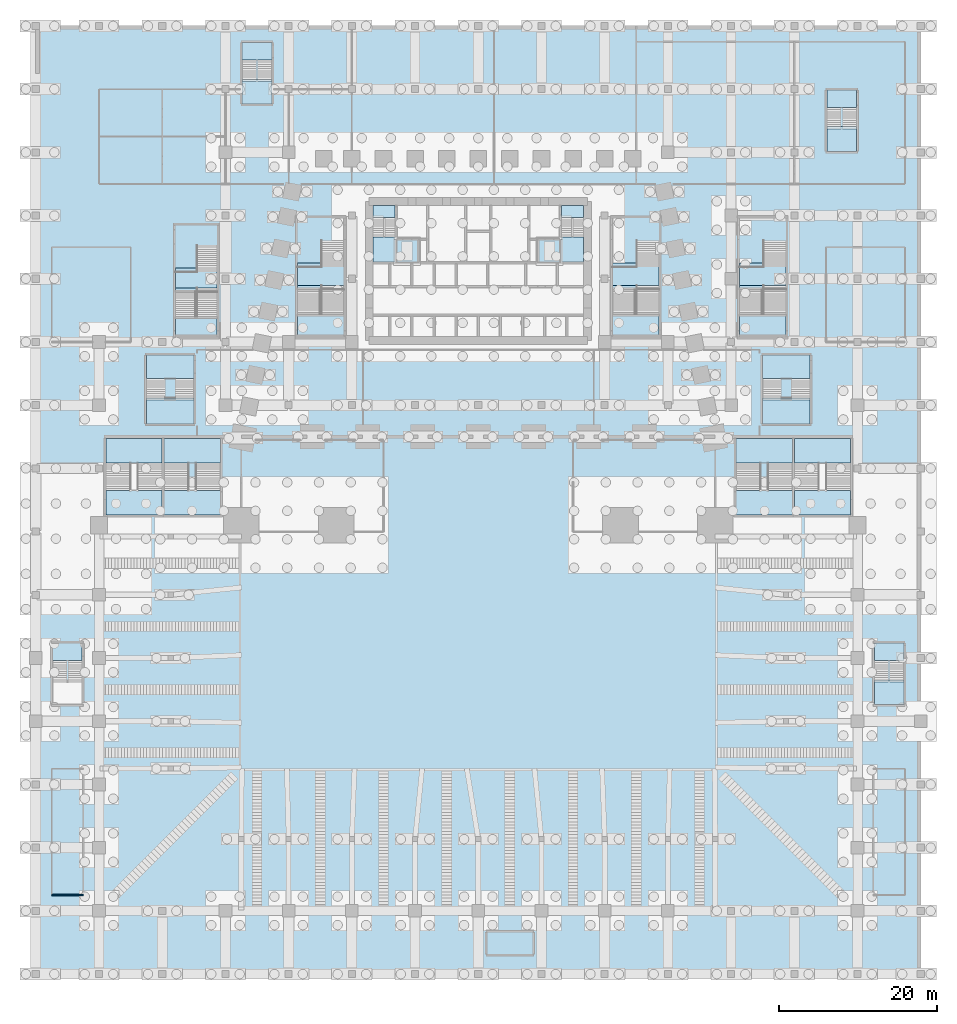
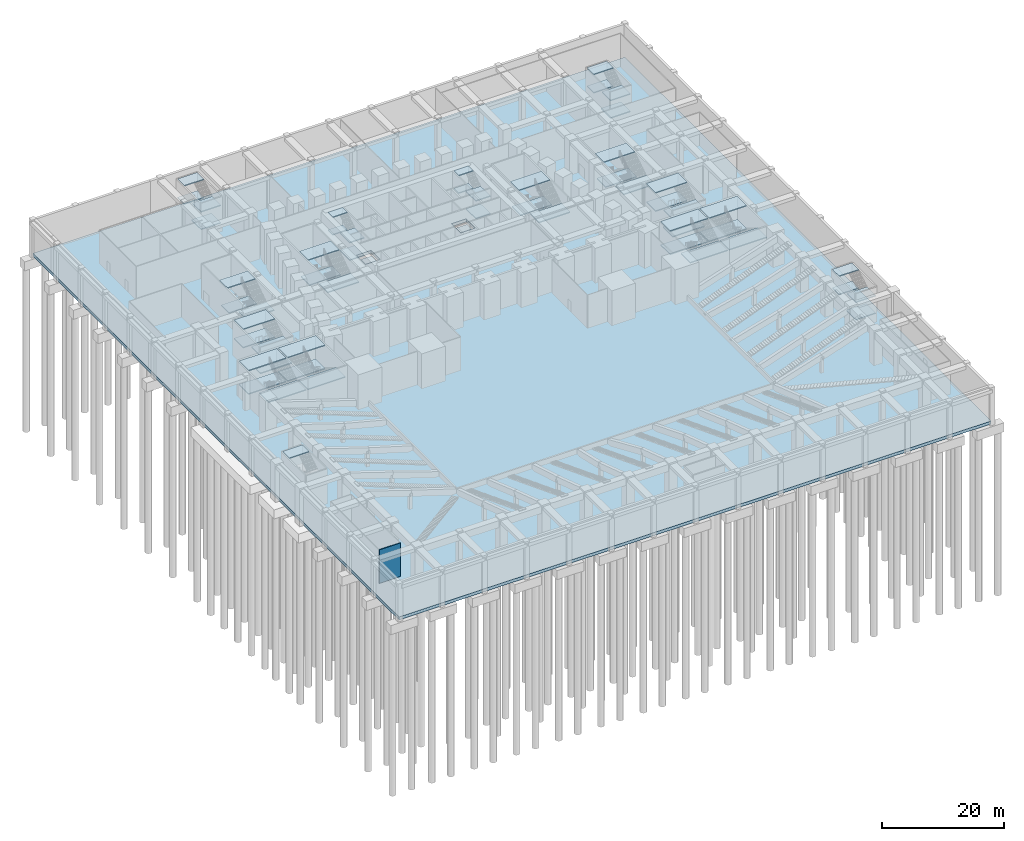
# One storey, part 6 of 30: 56 slabs, 1 wall, 16 elements without a shape of their own.
"""IFC4 building model written with IfcOpenShell, lengths in metres."""

from ifc_helpers import new_model, si_unit, direction, frame, frame_2d, origin, place, context, subcontext, project, spatial, polyline, rectangle, outline, extrude, material, layer, layer_set, type_object, element, aggregate, save


model = new_model("IFC4")

# Units and contexts
model_context = context("Model", 3, precision=1e-05, world=origin(), true_north=direction((0.0, 1.0)))
body_context = subcontext(model_context, "Body", "Model", "MODEL_VIEW")
ifc_project = project(units=[si_unit("LENGTHUNIT", "METRE"), si_unit("AREAUNIT", "SQUARE_METRE"), si_unit("VOLUMEUNIT", "CUBIC_METRE"), si_unit("PLANEANGLEUNIT", "RADIAN"), si_unit("MASSUNIT", "GRAM", prefix="KILO")], contexts=[model_context])

# Site, building, storey
site_placement = place(None, origin())
site = spatial("IfcSite", under=ifc_project, at=site_placement, CompositionType="ELEMENT")
building_placement = place(site_placement, origin())
building = spatial("IfcBuilding", under=site, at=building_placement, Name="Isbrekke Arena Tower", CompositionType="ELEMENT")
storey_placement = place(building_placement, frame((0.0, 0.0, -7.0)))
storey = spatial("IfcBuildingStorey", under=building, at=storey_placement, Name="B1", CompositionType="ELEMENT", Elevation=-7.0)

# Slabs
ifc_material_1 = material(Name="Concrete B45 (C45/55)", Category="concrete")
ifc_layer_1 = layer(ifc_material_1, 0.60009765625)
ifc_layer_set_1 = layer_set([ifc_layer_1], Name="BS1 BASE SLAB 600")
slab_type_1 = type_object("IfcSlabType", Name="BS1 BASE SLAB 600", PredefinedType="BASESLAB", material=ifc_layer_set_1)
slab_1_placement = place(storey_placement, frame((0.0, 0.0, -0.60009765625)))
element("IfcSlab", 1, at=slab_1_placement, inside=storey, type_object=slab_type_1, Name="BS1 slab B1 part 1", PredefinedType="BASESLAB", context=body_context, shape_type="SweptSolid", body=[
    extrude(outline(polyline([(-56.0, -74.0), (56.0, -74.0), (56.0, 46.0), (-56.0, 46.0), (-56.0, -74.0)]), holes=[polyline([(7.60009765625, 16.0), (10.39990234375, 16.0), (10.39990234375, 19.0), (7.60009765625, 19.0), (7.60009765625, 16.0)]), polyline([(-10.39990234375, 16.0), (-7.60009765625, 16.0), (-7.60009765625, 19.0), (-10.39990234375, 19.0), (-10.39990234375, 16.0)])]), origin(), (0.0, 0.0, 1.0), 0.60009765625),
])
ifc_material_2 = material(Name="Concrete B45 (C45/55)", Category="concrete")
ifc_layer_2 = layer(ifc_material_2, 0.39990234375)
ifc_layer_set_2 = layer_set([ifc_layer_2], Name="BS2 LIFT PIT SLAB 400")
slab_type_2 = type_object("IfcSlabType", Name="BS2 LIFT PIT SLAB 400", PredefinedType="BASESLAB", material=ifc_layer_set_2)
slab_2_placement = place(storey_placement, frame((0.0, 0.0, -1.800048828125)))
element("IfcSlab", 2, at=slab_2_placement, inside=storey, type_object=slab_type_2, Name="BS2 lift pit slab F1", PredefinedType="BASESLAB", context=body_context, shape_type="SweptSolid", body=[
    extrude(outline(polyline([(7.300048828125, 15.699951171875), (10.699951171875, 15.699951171875), (10.699951171875, 19.300048828125), (7.300048828125, 19.300048828125), (7.300048828125, 15.699951171875)])), origin(), (0.0, 0.0, 1.0), 0.400146484375),
])
slab_3_placement = place(storey_placement, frame((0.0, 0.0, -1.800048828125)))
element("IfcSlab", 3, at=slab_3_placement, inside=storey, type_object=slab_type_2, Name="BS2 lift pit slab F2", PredefinedType="BASESLAB", context=body_context, shape_type="SweptSolid", body=[
    extrude(outline(polyline([(-10.699951171875, 15.699951171875), (-7.300048828125, 15.699951171875), (-7.300048828125, 19.300048828125), (-10.699951171875, 19.300048828125), (-10.699951171875, 15.699951171875)])), origin(), (0.0, 0.0, 1.0), 0.400146484375),
])

# Stair, slabs
ifc_material_3 = material(Name="Concrete B45 (C45/55) precast", Category="concrete")
stair_type_1 = type_object("IfcStairType", Name="ST70 STAIR 1300 WIDE, 42 RISERS 167", PredefinedType="HALF_TURN_STAIR", material=ifc_material_3)
stair_1_placement = place(storey_placement, origin())
stair_1 = element("IfcStair", 4, at=stair_1_placement, inside=storey, type_object=stair_type_1, Name="ST1 stair B1", PredefinedType="HALF_TURN_STAIR")
ifc_material_4 = material(Name="Concrete B35 (C35/45)", Category="concrete")
ifc_layer_3 = layer(ifc_material_4, 0.199951171875)
ifc_layer_set_3 = layer_set([ifc_layer_3], Name="SL1 STAIR LANDING 200")
slab_type_3 = type_object("IfcSlabType", Name="SL1 STAIR LANDING 200", PredefinedType="LANDING", material=ifc_layer_set_3)
slab_4_placement = place(storey_placement, frame((0.0, 0.0, 1.63330078125)))
slab_4 = element("IfcSlab", 5, at=slab_4_placement, type_object=slab_type_3, Name="ST1 landing 1", PredefinedType="LANDING", context=body_context, shape_type="SweptSolid", body=[
    extrude(outline(polyline([(-13.300048828125, 16.125), (-10.52490234375, 16.125), (-10.52490234375, 19.300048828125), (-13.300048828125, 19.300048828125), (-13.300048828125, 16.125)])), origin(), (0.0, 0.0, 1.0), 0.199951171875),
])
slab_5_placement = place(storey_placement, frame((0.0, 0.0, 3.300048828125)))
slab_5 = element("IfcSlab", 6, at=slab_5_placement, type_object=slab_type_3, Name="ST1 landing 2", PredefinedType="LANDING", context=body_context, shape_type="SweptSolid", body=[
    extrude(outline(polyline([(-13.300048828125, 21.72998046875), (-10.52490234375, 21.72998046875), (-10.52490234375, 23.300048828125), (-13.300048828125, 23.300048828125), (-13.300048828125, 21.72998046875)])), origin(), (0.0, 0.0, 1.0), 0.199951171875),
])
slab_6_placement = place(storey_placement, frame((0.0, 0.0, 5.13330078125)))
slab_6 = element("IfcSlab", 7, at=slab_6_placement, type_object=slab_type_3, Name="ST1 landing 3", PredefinedType="LANDING", context=body_context, shape_type="SweptSolid", body=[
    extrude(outline(polyline([(-13.300048828125, 16.125), (-10.52490234375, 16.125), (-10.52490234375, 19.300048828125), (-13.300048828125, 19.300048828125), (-13.300048828125, 16.125)])), origin(), (0.0, 0.0, 1.0), 0.199951171875),
])
slab_7_placement = place(storey_placement, frame((0.0, 0.0, 6.800048828125)))
slab_7 = element("IfcSlab", 8, at=slab_7_placement, type_object=slab_type_3, Name="ST1 landing 4", PredefinedType="LANDING", context=body_context, shape_type="SweptSolid", body=[
    extrude(outline(polyline([(-13.300048828125, 21.72998046875), (-10.52490234375, 21.72998046875), (-10.52490234375, 23.300048828125), (-13.300048828125, 23.300048828125), (-13.300048828125, 21.72998046875)])), origin(), (0.0, 0.0, 1.0), 0.199951171875),
])
aggregate(stair_1, [slab_4, slab_5, slab_6, slab_7])

stair_2_placement = place(storey_placement, origin())
stair_2 = element("IfcStair", 9, at=stair_2_placement, inside=storey, type_object=stair_type_1, Name="ST2 stair B1", PredefinedType="HALF_TURN_STAIR")
slab_8_placement = place(storey_placement, frame((0.0, 0.0, 1.63330078125)))
slab_8 = element("IfcSlab", 10, at=slab_8_placement, type_object=slab_type_3, Name="ST2 landing 1", PredefinedType="LANDING", context=body_context, shape_type="SweptSolid", body=[
    extrude(outline(polyline([(10.52490234375, 16.125), (13.300048828125, 16.125), (13.300048828125, 19.300048828125), (10.52490234375, 19.300048828125), (10.52490234375, 16.125)])), origin(), (0.0, 0.0, 1.0), 0.199951171875),
])
slab_9_placement = place(storey_placement, frame((0.0, 0.0, 3.300048828125)))
slab_9 = element("IfcSlab", 11, at=slab_9_placement, type_object=slab_type_3, Name="ST2 landing 2", PredefinedType="LANDING", context=body_context, shape_type="SweptSolid", body=[
    extrude(outline(polyline([(10.52490234375, 21.72998046875), (13.300048828125, 21.72998046875), (13.300048828125, 23.300048828125), (10.52490234375, 23.300048828125), (10.52490234375, 21.72998046875)])), origin(), (0.0, 0.0, 1.0), 0.199951171875),
])
slab_10_placement = place(storey_placement, frame((0.0, 0.0, 5.13330078125)))
slab_10 = element("IfcSlab", 12, at=slab_10_placement, type_object=slab_type_3, Name="ST2 landing 3", PredefinedType="LANDING", context=body_context, shape_type="SweptSolid", body=[
    extrude(outline(polyline([(10.52490234375, 16.125), (13.300048828125, 16.125), (13.300048828125, 19.300048828125), (10.52490234375, 19.300048828125), (10.52490234375, 16.125)])), origin(), (0.0, 0.0, 1.0), 0.199951171875),
])
slab_11_placement = place(storey_placement, frame((0.0, 0.0, 6.800048828125)))
slab_11 = element("IfcSlab", 13, at=slab_11_placement, type_object=slab_type_3, Name="ST2 landing 4", PredefinedType="LANDING", context=body_context, shape_type="SweptSolid", body=[
    extrude(outline(polyline([(10.52490234375, 21.72998046875), (13.300048828125, 21.72998046875), (13.300048828125, 23.300048828125), (10.52490234375, 23.300048828125), (10.52490234375, 21.72998046875)])), origin(), (0.0, 0.0, 1.0), 0.199951171875),
])
aggregate(stair_2, [slab_8, slab_9, slab_10, slab_11])

ifc_material_5 = material(Name="Concrete B45 (C45/55) precast", Category="concrete")
stair_type_2 = type_object("IfcStairType", Name="ST70 STAIR 1800 WIDE, 42 RISERS 167", PredefinedType="HALF_TURN_STAIR", material=ifc_material_5)
stair_3_placement = place(storey_placement, origin())
stair_3 = element("IfcStair", 14, at=stair_3_placement, inside=storey, type_object=stair_type_2, Name="P1 stair B1", PredefinedType="HALF_TURN_STAIR")
slab_12_placement = place(storey_placement, frame((0.0, 0.0, 1.466552734375)))
slab_12 = element("IfcSlab", 15, at=slab_12_placement, type_object=slab_type_3, Name="P1 landing 1", PredefinedType="LANDING", context=body_context, shape_type="SweptSolid", body=[
    extrude(outline(polyline([(44.125, 30.125), (47.875, 30.125), (47.875, 33.2451171875), (44.125, 33.2451171875), (44.125, 30.125)])), origin(), (0.0, 0.0, 1.0), 0.2001953125),
])
slab_13_placement = place(storey_placement, frame((0.0, 0.0, 3.13330078125)))
slab_13 = element("IfcSlab", 16, at=slab_13_placement, type_object=slab_type_3, Name="P1 landing 2", PredefinedType="LANDING", context=body_context, shape_type="SweptSolid", body=[
    extrude(outline(polyline([(44.125, 35.675048828125), (47.875, 35.675048828125), (47.875, 37.875), (44.125, 37.875), (44.125, 35.675048828125)])), origin(), (0.0, 0.0, 1.0), 0.199951171875),
])
slab_14_placement = place(storey_placement, frame((0.0, 0.0, 4.966552734375)))
slab_14 = element("IfcSlab", 17, at=slab_14_placement, type_object=slab_type_3, Name="P1 landing 3", PredefinedType="LANDING", context=body_context, shape_type="SweptSolid", body=[
    extrude(outline(polyline([(44.125, 30.125), (47.875, 30.125), (47.875, 32.97509765625), (44.125, 32.97509765625), (44.125, 30.125)])), origin(), (0.0, 0.0, 1.0), 0.2001953125),
])
slab_15_placement = place(storey_placement, frame((0.0, 0.0, 6.800048828125)))
slab_15 = element("IfcSlab", 18, at=slab_15_placement, type_object=slab_type_3, Name="P1 landing 4", PredefinedType="LANDING", context=body_context, shape_type="SweptSolid", body=[
    extrude(outline(polyline([(44.125, 35.675048828125), (47.875, 35.675048828125), (47.875, 37.875), (44.125, 37.875), (44.125, 35.675048828125)])), origin(), (0.0, 0.0, 1.0), 0.199951171875),
])
aggregate(stair_3, [slab_12, slab_13, slab_14, slab_15])

stair_4_placement = place(storey_placement, origin())
stair_4 = element("IfcStair", 19, at=stair_4_placement, inside=storey, type_object=stair_type_2, Name="P2 stair B1", PredefinedType="HALF_TURN_STAIR")
slab_16_placement = place(storey_placement, frame((0.0, 0.0, 1.466552734375)))
slab_16 = element("IfcSlab", 20, at=slab_16_placement, type_object=slab_type_3, Name="P2 landing 1", PredefinedType="LANDING", context=body_context, shape_type="SweptSolid", body=[
    extrude(outline(polyline([(-29.875, 36.125), (-26.125, 36.125), (-26.125, 39.2451171875), (-29.875, 39.2451171875), (-29.875, 36.125)])), origin(), (0.0, 0.0, 1.0), 0.2001953125),
])
slab_17_placement = place(storey_placement, frame((0.0, 0.0, 3.13330078125)))
slab_17 = element("IfcSlab", 21, at=slab_17_placement, type_object=slab_type_3, Name="P2 landing 2", PredefinedType="LANDING", context=body_context, shape_type="SweptSolid", body=[
    extrude(outline(polyline([(-29.875, 41.675048828125), (-26.125, 41.675048828125), (-26.125, 43.875), (-29.875, 43.875), (-29.875, 41.675048828125)])), origin(), (0.0, 0.0, 1.0), 0.199951171875),
])
slab_18_placement = place(storey_placement, frame((0.0, 0.0, 4.966552734375)))
slab_18 = element("IfcSlab", 22, at=slab_18_placement, type_object=slab_type_3, Name="P2 landing 3", PredefinedType="LANDING", context=body_context, shape_type="SweptSolid", body=[
    extrude(outline(polyline([(-29.875, 36.125), (-26.125, 36.125), (-26.125, 38.97509765625), (-29.875, 38.97509765625), (-29.875, 36.125)])), origin(), (0.0, 0.0, 1.0), 0.2001953125),
])
slab_19_placement = place(storey_placement, frame((0.0, 0.0, 6.800048828125)))
slab_19 = element("IfcSlab", 23, at=slab_19_placement, type_object=slab_type_3, Name="P2 landing 4", PredefinedType="LANDING", context=body_context, shape_type="SweptSolid", body=[
    extrude(outline(polyline([(-29.875, 41.675048828125), (-26.125, 41.675048828125), (-26.125, 43.875), (-29.875, 43.875), (-29.875, 41.675048828125)])), origin(), (0.0, 0.0, 1.0), 0.199951171875),
])
aggregate(stair_4, [slab_16, slab_17, slab_18, slab_19])

stair_5_placement = place(storey_placement, origin())
stair_5 = element("IfcStair", 24, at=stair_5_placement, inside=storey, type_object=stair_type_2, Name="P3 stair B1", PredefinedType="HALF_TURN_STAIR")
slab_20_placement = place(storey_placement, frame((0.0, 0.0, 1.466552734375)))
slab_20 = element("IfcSlab", 25, at=slab_20_placement, type_object=slab_type_3, Name="P3 landing 1", PredefinedType="LANDING", context=body_context, shape_type="SweptSolid", body=[
    extrude(outline(polyline([(50.125, -39.875), (53.875, -39.875), (53.875, -36.7548828125), (50.125, -36.7548828125), (50.125, -39.875)])), origin(), (0.0, 0.0, 1.0), 0.2001953125),
])
slab_21_placement = place(storey_placement, frame((0.0, 0.0, 3.13330078125)))
slab_21 = element("IfcSlab", 26, at=slab_21_placement, type_object=slab_type_3, Name="P3 landing 2", PredefinedType="LANDING", context=body_context, shape_type="SweptSolid", body=[
    extrude(outline(polyline([(50.125, -34.324951171875), (53.875, -34.324951171875), (53.875, -32.125), (50.125, -32.125), (50.125, -34.324951171875)])), origin(), (0.0, 0.0, 1.0), 0.199951171875),
])
slab_22_placement = place(storey_placement, frame((0.0, 0.0, 4.966552734375)))
slab_22 = element("IfcSlab", 27, at=slab_22_placement, type_object=slab_type_3, Name="P3 landing 3", PredefinedType="LANDING", context=body_context, shape_type="SweptSolid", body=[
    extrude(outline(polyline([(50.125, -39.875), (53.875, -39.875), (53.875, -37.02490234375), (50.125, -37.02490234375), (50.125, -39.875)])), origin(), (0.0, 0.0, 1.0), 0.2001953125),
])
slab_23_placement = place(storey_placement, frame((0.0, 0.0, 6.800048828125)))
slab_23 = element("IfcSlab", 28, at=slab_23_placement, type_object=slab_type_3, Name="P3 landing 4", PredefinedType="LANDING", context=body_context, shape_type="SweptSolid", body=[
    extrude(outline(polyline([(50.125, -34.324951171875), (53.875, -34.324951171875), (53.875, -32.125), (50.125, -32.125), (50.125, -34.324951171875)])), origin(), (0.0, 0.0, 1.0), 0.199951171875),
])
aggregate(stair_5, [slab_20, slab_21, slab_22, slab_23])

# Stair, slab
stair_6_placement = place(storey_placement, origin())
stair_6 = element("IfcStair", 29, at=stair_6_placement, inside=storey, type_object=stair_type_2, Name="P4 stair B1", PredefinedType="HALF_TURN_STAIR")
slab_24_placement = place(storey_placement, frame((0.0, 0.0, 6.800048828125)))
slab_24 = element("IfcSlab", 30, at=slab_24_placement, type_object=slab_type_3, Name="P4 landing 4", PredefinedType="LANDING", context=body_context, shape_type="SweptSolid", body=[
    extrude(outline(polyline([(-53.875, -34.324951171875), (-50.125, -34.324951171875), (-50.125, -32.125), (-53.875, -32.125), (-53.875, -34.324951171875)])), origin(), (0.0, 0.0, 1.0), 0.199951171875),
])
aggregate(stair_6, [slab_24])

# Stair, slabs
ifc_material_6 = material(Name="Concrete B45 (C45/55) precast", Category="concrete")
stair_type_3 = type_object("IfcStairType", Name="ST70 STAIR 2400 WIDE, 42 RISERS 167", PredefinedType="HALF_TURN_STAIR", material=ifc_material_6)
stair_7_placement = place(storey_placement, origin())
stair_7 = element("IfcStair", 31, at=stair_7_placement, inside=storey, type_object=stair_type_3, Name="V1 stair B1", PredefinedType="HALF_TURN_STAIR")
slab_25_placement = place(storey_placement, frame((0.0, 0.0, 1.466552734375)))
slab_25 = element("IfcSlab", 32, at=slab_25_placement, type_object=slab_type_3, Name="V1 landing 1", PredefinedType="LANDING", context=body_context, shape_type="SweptSolid", body=[
    extrude(outline(polyline([(36.0, -4.35009765625), (42.0, -4.35009765625), (42.0, -1.080078125), (36.0, -1.080078125), (36.0, -4.35009765625)])), origin(), (0.0, 0.0, 1.0), 0.2001953125),
])
slab_26_placement = place(storey_placement, frame((0.0, 0.0, 3.13330078125)))
slab_26 = element("IfcSlab", 33, at=slab_26_placement, type_object=slab_type_3, Name="V1 landing 2", PredefinedType="LANDING", context=body_context, shape_type="SweptSolid", body=[
    extrude(outline(polyline([(36.0, 1.35009765625), (42.0, 1.35009765625), (42.0, 4.35009765625), (36.0, 4.35009765625), (36.0, 1.35009765625)])), origin(), (0.0, 0.0, 1.0), 0.199951171875),
])
slab_27_placement = place(storey_placement, frame((0.0, 0.0, 4.966552734375)))
slab_27 = element("IfcSlab", 34, at=slab_27_placement, type_object=slab_type_3, Name="V1 landing 3", PredefinedType="LANDING", context=body_context, shape_type="SweptSolid", body=[
    extrude(outline(polyline([(36.0, -4.35009765625), (42.0, -4.35009765625), (42.0, -1.35009765625), (36.0, -1.35009765625), (36.0, -4.35009765625)])), origin(), (0.0, 0.0, 1.0), 0.2001953125),
])
slab_28_placement = place(storey_placement, frame((0.0, 0.0, 6.800048828125)))
slab_28 = element("IfcSlab", 35, at=slab_28_placement, type_object=slab_type_3, Name="V1 landing 4", PredefinedType="LANDING", context=body_context, shape_type="SweptSolid", body=[
    extrude(outline(polyline([(36.0, 1.35009765625), (42.0, 1.35009765625), (42.0, 4.35009765625), (36.0, 4.35009765625), (36.0, 1.35009765625)])), origin(), (0.0, 0.0, 1.0), 0.199951171875),
])
aggregate(stair_7, [slab_25, slab_26, slab_27, slab_28])

stair_8_placement = place(storey_placement, origin())
stair_8 = element("IfcStair", 36, at=stair_8_placement, inside=storey, type_object=stair_type_3, Name="V2 stair B1", PredefinedType="HALF_TURN_STAIR")
slab_29_placement = place(storey_placement, frame((0.0, 0.0, 1.466552734375)))
slab_29 = element("IfcSlab", 37, at=slab_29_placement, type_object=slab_type_3, Name="V2 landing 1", PredefinedType="LANDING", context=body_context, shape_type="SweptSolid", body=[
    extrude(outline(polyline([(-42.0, -4.35009765625), (-36.0, -4.35009765625), (-36.0, -1.080078125), (-42.0, -1.080078125), (-42.0, -4.35009765625)])), origin(), (0.0, 0.0, 1.0), 0.2001953125),
])
slab_30_placement = place(storey_placement, frame((0.0, 0.0, 3.13330078125)))
slab_30 = element("IfcSlab", 38, at=slab_30_placement, type_object=slab_type_3, Name="V2 landing 2", PredefinedType="LANDING", context=body_context, shape_type="SweptSolid", body=[
    extrude(outline(polyline([(-42.0, 1.35009765625), (-36.0, 1.35009765625), (-36.0, 4.35009765625), (-42.0, 4.35009765625), (-42.0, 1.35009765625)])), origin(), (0.0, 0.0, 1.0), 0.199951171875),
])
slab_31_placement = place(storey_placement, frame((0.0, 0.0, 4.966552734375)))
slab_31 = element("IfcSlab", 39, at=slab_31_placement, type_object=slab_type_3, Name="V2 landing 3", PredefinedType="LANDING", context=body_context, shape_type="SweptSolid", body=[
    extrude(outline(polyline([(-42.0, -4.35009765625), (-36.0, -4.35009765625), (-36.0, -1.35009765625), (-42.0, -1.35009765625), (-42.0, -4.35009765625)])), origin(), (0.0, 0.0, 1.0), 0.2001953125),
])
slab_32_placement = place(storey_placement, frame((0.0, 0.0, 6.800048828125)))
slab_32 = element("IfcSlab", 40, at=slab_32_placement, type_object=slab_type_3, Name="V2 landing 4", PredefinedType="LANDING", context=body_context, shape_type="SweptSolid", body=[
    extrude(outline(polyline([(-42.0, 1.35009765625), (-36.0, 1.35009765625), (-36.0, 4.35009765625), (-42.0, 4.35009765625), (-42.0, 1.35009765625)])), origin(), (0.0, 0.0, 1.0), 0.199951171875),
])
aggregate(stair_8, [slab_29, slab_30, slab_31, slab_32])

ifc_material_7 = material(Name="Concrete B45 (C45/55) cast in situ", Category="concrete")
stair_type_4 = type_object("IfcStairType", Name="ST70 STAIR 3090 WIDE, 42 RISERS 167", PredefinedType="HALF_TURN_STAIR", material=ifc_material_7)
stair_9_placement = place(storey_placement, origin())
stair_9 = element("IfcStair", 41, at=stair_9_placement, inside=storey, type_object=stair_type_4, Name="X1 exit stair B1", PredefinedType="HALF_TURN_STAIR")
slab_33_placement = place(storey_placement, frame((0.0, 0.0, 2.13330078125)))
slab_33 = element("IfcSlab", 42, at=slab_33_placement, type_object=slab_type_3, Name="X1 landing 1", PredefinedType="LANDING", context=body_context, shape_type="SweptSolid", body=[
    extrude(outline(polyline([(32.625, -9.294921875), (39.75, -9.294921875), (39.75, -6.199951171875), (32.625, -6.199951171875), (32.625, -9.294921875)])), origin(), (0.0, 0.0, 1.0), 0.199951171875),
])
slab_34_placement = place(storey_placement, frame((0.0, 0.0, 4.466552734375)))
slab_34 = element("IfcSlab", 43, at=slab_34_placement, type_object=slab_type_3, Name="X1 landing 2", PredefinedType="LANDING", context=body_context, shape_type="SweptSolid", body=[
    extrude(outline(polyline([(32.625, -15.89990234375), (39.75, -15.89990234375), (39.75, -12.804931640625), (32.625, -12.804931640625), (32.625, -15.89990234375)])), origin(), (0.0, 0.0, 1.0), 0.2001953125),
])
slab_35_placement = place(storey_placement, frame((0.0, 0.0, 6.800048828125)))
slab_35 = element("IfcSlab", 44, at=slab_35_placement, type_object=slab_type_3, Name="X1 landing 3", PredefinedType="LANDING", context=body_context, shape_type="SweptSolid", body=[
    extrude(outline(polyline([(32.625, -9.294921875), (39.75, -9.294921875), (39.75, -6.199951171875), (32.625, -6.199951171875), (32.625, -9.294921875)])), origin(), (0.0, 0.0, 1.0), 0.199951171875),
])
aggregate(stair_9, [slab_33, slab_34, slab_35])

stair_10_placement = place(storey_placement, origin())
stair_10 = element("IfcStair", 45, at=stair_10_placement, inside=storey, type_object=stair_type_4, Name="X2 exit stair B1", PredefinedType="HALF_TURN_STAIR")
slab_36_placement = place(storey_placement, frame((0.0, 0.0, 2.13330078125)))
slab_36 = element("IfcSlab", 46, at=slab_36_placement, type_object=slab_type_3, Name="X2 landing 1", PredefinedType="LANDING", context=body_context, shape_type="SweptSolid", body=[
    extrude(outline(polyline([(40.0, -9.294921875), (47.125, -9.294921875), (47.125, -6.199951171875), (40.0, -6.199951171875), (40.0, -9.294921875)])), origin(), (0.0, 0.0, 1.0), 0.199951171875),
])
slab_37_placement = place(storey_placement, frame((0.0, 0.0, 4.466552734375)))
slab_37 = element("IfcSlab", 47, at=slab_37_placement, type_object=slab_type_3, Name="X2 landing 2", PredefinedType="LANDING", context=body_context, shape_type="SweptSolid", body=[
    extrude(outline(polyline([(40.0, -15.89990234375), (47.125, -15.89990234375), (47.125, -12.804931640625), (40.0, -12.804931640625), (40.0, -15.89990234375)])), origin(), (0.0, 0.0, 1.0), 0.2001953125),
])
slab_38_placement = place(storey_placement, frame((0.0, 0.0, 6.800048828125)))
slab_38 = element("IfcSlab", 48, at=slab_38_placement, type_object=slab_type_3, Name="X2 landing 3", PredefinedType="LANDING", context=body_context, shape_type="SweptSolid", body=[
    extrude(outline(polyline([(40.0, -9.294921875), (47.125, -9.294921875), (47.125, -6.199951171875), (40.0, -6.199951171875), (40.0, -9.294921875)])), origin(), (0.0, 0.0, 1.0), 0.199951171875),
])
aggregate(stair_10, [slab_36, slab_37, slab_38])

stair_11_placement = place(storey_placement, origin())
stair_11 = element("IfcStair", 49, at=stair_11_placement, inside=storey, type_object=stair_type_4, Name="X3 exit stair B1", PredefinedType="HALF_TURN_STAIR")
slab_39_placement = place(storey_placement, frame((0.0, 0.0, 2.13330078125)))
slab_39 = element("IfcSlab", 50, at=slab_39_placement, type_object=slab_type_3, Name="X3 landing 1", PredefinedType="LANDING", context=body_context, shape_type="SweptSolid", body=[
    extrude(outline(polyline([(-39.75, -9.294921875), (-32.625, -9.294921875), (-32.625, -6.199951171875), (-39.75, -6.199951171875), (-39.75, -9.294921875)])), origin(), (0.0, 0.0, 1.0), 0.199951171875),
])
slab_40_placement = place(storey_placement, frame((0.0, 0.0, 4.466552734375)))
slab_40 = element("IfcSlab", 51, at=slab_40_placement, type_object=slab_type_3, Name="X3 landing 2", PredefinedType="LANDING", context=body_context, shape_type="SweptSolid", body=[
    extrude(outline(polyline([(-39.75, -15.89990234375), (-32.625, -15.89990234375), (-32.625, -12.804931640625), (-39.75, -12.804931640625), (-39.75, -15.89990234375)])), origin(), (0.0, 0.0, 1.0), 0.2001953125),
])
slab_41_placement = place(storey_placement, frame((0.0, 0.0, 6.800048828125)))
slab_41 = element("IfcSlab", 52, at=slab_41_placement, type_object=slab_type_3, Name="X3 landing 3", PredefinedType="LANDING", context=body_context, shape_type="SweptSolid", body=[
    extrude(outline(polyline([(-39.75, -9.294921875), (-32.625, -9.294921875), (-32.625, -6.199951171875), (-39.75, -6.199951171875), (-39.75, -9.294921875)])), origin(), (0.0, 0.0, 1.0), 0.199951171875),
])
aggregate(stair_11, [slab_39, slab_40, slab_41])

stair_12_placement = place(storey_placement, origin())
stair_12 = element("IfcStair", 53, at=stair_12_placement, inside=storey, type_object=stair_type_4, Name="X4 exit stair B1", PredefinedType="HALF_TURN_STAIR")
slab_42_placement = place(storey_placement, frame((0.0, 0.0, 2.13330078125)))
slab_42 = element("IfcSlab", 54, at=slab_42_placement, type_object=slab_type_3, Name="X4 landing 1", PredefinedType="LANDING", context=body_context, shape_type="SweptSolid", body=[
    extrude(outline(polyline([(-47.125, -9.294921875), (-40.0, -9.294921875), (-40.0, -6.199951171875), (-47.125, -6.199951171875), (-47.125, -9.294921875)])), origin(), (0.0, 0.0, 1.0), 0.199951171875),
])
slab_43_placement = place(storey_placement, frame((0.0, 0.0, 4.466552734375)))
slab_43 = element("IfcSlab", 55, at=slab_43_placement, type_object=slab_type_3, Name="X4 landing 2", PredefinedType="LANDING", context=body_context, shape_type="SweptSolid", body=[
    extrude(outline(polyline([(-47.125, -15.89990234375), (-40.0, -15.89990234375), (-40.0, -12.804931640625), (-47.125, -12.804931640625), (-47.125, -15.89990234375)])), origin(), (0.0, 0.0, 1.0), 0.2001953125),
])
slab_44_placement = place(storey_placement, frame((0.0, 0.0, 6.800048828125)))
slab_44 = element("IfcSlab", 56, at=slab_44_placement, type_object=slab_type_3, Name="X4 landing 3", PredefinedType="LANDING", context=body_context, shape_type="SweptSolid", body=[
    extrude(outline(polyline([(-47.125, -9.294921875), (-40.0, -9.294921875), (-40.0, -6.199951171875), (-47.125, -6.199951171875), (-47.125, -9.294921875)])), origin(), (0.0, 0.0, 1.0), 0.199951171875),
])
aggregate(stair_12, [slab_42, slab_43, slab_44])

ifc_material_8 = material(Name="Concrete B45 (C45/55) cast in situ", Category="concrete")
stair_type_5 = type_object("IfcStairType", Name="SX70 EXIT STAIR 2850 WIDE, 42 RISERS 167", PredefinedType="HALF_TURN_STAIR", material=ifc_material_8)
stair_13_placement = place(storey_placement, origin())
stair_13 = element("IfcStair", 57, at=stair_13_placement, inside=storey, type_object=stair_type_5, Name="X5 exit stair B1", PredefinedType="HALF_TURN_STAIR")
slab_45_placement = place(storey_placement, frame((0.0, 0.0, 2.13330078125)))
slab_45 = element("IfcSlab", 58, at=slab_45_placement, type_object=slab_type_3, Name="X5 landing 1", PredefinedType="LANDING", context=body_context, shape_type="SweptSolid", body=[
    extrude(outline(polyline([(17.0, 12.6201171875), (22.89990234375, 12.6201171875), (22.89990234375, 15.469970703125), (17.0, 15.469970703125), (17.0, 12.6201171875)])), origin(), (0.0, 0.0, 1.0), 0.199951171875),
])
slab_46_placement = place(storey_placement, frame((0.0, 0.0, 4.300048828125)))
slab_46 = element("IfcSlab", 59, at=slab_46_placement, type_object=slab_type_3, Name="X5 landing 2", PredefinedType="LANDING", context=body_context, shape_type="SweptSolid", body=[
    extrude(outline(polyline([(17.0, 6.64990234375), (22.89990234375, 6.64990234375), (22.89990234375, 9.5), (17.0, 9.5), (17.0, 6.64990234375)])), origin(), (0.0, 0.0, 1.0), 0.199951171875),
])
slab_47_placement = place(storey_placement, frame((0.0, 0.0, 6.800048828125)))
slab_47 = element("IfcSlab", 60, at=slab_47_placement, type_object=slab_type_3, Name="X5 landing 3", PredefinedType="LANDING", context=body_context, shape_type="SweptSolid", body=[
    extrude(outline(polyline([(17.0, 13.139892578125), (22.89990234375, 13.139892578125), (22.89990234375, 15.989990234375), (17.0, 15.989990234375), (17.0, 13.139892578125)])), origin(), (0.0, 0.0, 1.0), 0.199951171875),
])
aggregate(stair_13, [slab_45, slab_46, slab_47])

stair_14_placement = place(storey_placement, origin())
stair_14 = element("IfcStair", 61, at=stair_14_placement, inside=storey, type_object=stair_type_5, Name="X6 exit stair B1", PredefinedType="HALF_TURN_STAIR")
slab_48_placement = place(storey_placement, frame((0.0, 0.0, 2.13330078125)))
slab_48 = element("IfcSlab", 62, at=slab_48_placement, type_object=slab_type_3, Name="X6 landing 1", PredefinedType="LANDING", context=body_context, shape_type="SweptSolid", body=[
    extrude(outline(polyline([(-22.89990234375, 12.6201171875), (-17.0, 12.6201171875), (-17.0, 15.469970703125), (-22.89990234375, 15.469970703125), (-22.89990234375, 12.6201171875)])), origin(), (0.0, 0.0, 1.0), 0.199951171875),
])
slab_49_placement = place(storey_placement, frame((0.0, 0.0, 4.300048828125)))
slab_49 = element("IfcSlab", 63, at=slab_49_placement, type_object=slab_type_3, Name="X6 landing 2", PredefinedType="LANDING", context=body_context, shape_type="SweptSolid", body=[
    extrude(outline(polyline([(-22.89990234375, 6.64990234375), (-17.0, 6.64990234375), (-17.0, 9.5), (-22.89990234375, 9.5), (-22.89990234375, 6.64990234375)])), origin(), (0.0, 0.0, 1.0), 0.199951171875),
])
slab_50_placement = place(storey_placement, frame((0.0, 0.0, 6.800048828125)))
slab_50 = element("IfcSlab", 64, at=slab_50_placement, type_object=slab_type_3, Name="X6 landing 3", PredefinedType="LANDING", context=body_context, shape_type="SweptSolid", body=[
    extrude(outline(polyline([(-22.89990234375, 13.139892578125), (-17.0, 13.139892578125), (-17.0, 15.989990234375), (-22.89990234375, 15.989990234375), (-22.89990234375, 13.139892578125)])), origin(), (0.0, 0.0, 1.0), 0.199951171875),
])
aggregate(stair_14, [slab_48, slab_49, slab_50])

stair_15_placement = place(storey_placement, origin())
stair_15 = element("IfcStair", 65, at=stair_15_placement, inside=storey, type_object=stair_type_5, Name="X7 exit stair B1", PredefinedType="HALF_TURN_STAIR")
slab_51_placement = place(storey_placement, frame((0.0, 0.0, 2.13330078125)))
slab_51 = element("IfcSlab", 66, at=slab_51_placement, type_object=slab_type_3, Name="X7 landing 1", PredefinedType="LANDING", context=body_context, shape_type="SweptSolid", body=[
    extrude(outline(polyline([(33.050048828125, 12.6201171875), (38.949951171875, 12.6201171875), (38.949951171875, 15.469970703125), (33.050048828125, 15.469970703125), (33.050048828125, 12.6201171875)])), origin(), (0.0, 0.0, 1.0), 0.199951171875),
])
slab_52_placement = place(storey_placement, frame((0.0, 0.0, 4.300048828125)))
slab_52 = element("IfcSlab", 67, at=slab_52_placement, type_object=slab_type_3, Name="X7 landing 2", PredefinedType="LANDING", context=body_context, shape_type="SweptSolid", body=[
    extrude(outline(polyline([(33.050048828125, 6.64990234375), (38.949951171875, 6.64990234375), (38.949951171875, 9.5), (33.050048828125, 9.5), (33.050048828125, 6.64990234375)])), origin(), (0.0, 0.0, 1.0), 0.199951171875),
])
slab_53_placement = place(storey_placement, frame((0.0, 0.0, 6.800048828125)))
slab_53 = element("IfcSlab", 68, at=slab_53_placement, type_object=slab_type_3, Name="X7 landing 3", PredefinedType="LANDING", context=body_context, shape_type="SweptSolid", body=[
    extrude(outline(polyline([(33.050048828125, 13.139892578125), (38.949951171875, 13.139892578125), (38.949951171875, 15.989990234375), (33.050048828125, 15.989990234375), (33.050048828125, 13.139892578125)])), origin(), (0.0, 0.0, 1.0), 0.199951171875),
])
aggregate(stair_15, [slab_51, slab_52, slab_53])

ifc_material_9 = material(Name="Concrete B45 (C45/55) precast", Category="concrete")
stair_type_6 = type_object("IfcStairType", Name="SX70 EXIT STAIR 2550 WIDE, 42 RISERS 167", PredefinedType="HALF_TURN_STAIR", material=ifc_material_9)
stair_16_placement = place(storey_placement, origin())
stair_16 = element("IfcStair", 69, at=stair_16_placement, inside=storey, type_object=stair_type_6, Name="X8 exit stair B1", PredefinedType="HALF_TURN_STAIR")
slab_54_placement = place(storey_placement, frame((0.0, 0.0, 2.13330078125)))
slab_54 = element("IfcSlab", 70, at=slab_54_placement, type_object=slab_type_3, Name="X8 landing 1", PredefinedType="LANDING", context=body_context, shape_type="SweptSolid", body=[
    extrude(outline(polyline([(-38.35009765625, 12.320068359375), (-33.050048828125, 12.320068359375), (-33.050048828125, 14.8701171875), (-38.35009765625, 14.8701171875), (-38.35009765625, 12.320068359375)])), origin(), (0.0, 0.0, 1.0), 0.199951171875),
])
slab_55_placement = place(storey_placement, frame((0.0, 0.0, 4.300048828125)))
slab_55 = element("IfcSlab", 71, at=slab_55_placement, type_object=slab_type_3, Name="X8 landing 2", PredefinedType="LANDING", context=body_context, shape_type="SweptSolid", body=[
    extrude(outline(polyline([(-38.35009765625, 6.64990234375), (-33.050048828125, 6.64990234375), (-33.050048828125, 9.199951171875), (-38.35009765625, 9.199951171875), (-38.35009765625, 6.64990234375)])), origin(), (0.0, 0.0, 1.0), 0.199951171875),
])
slab_56_placement = place(storey_placement, frame((0.0, 0.0, 6.800048828125)))
slab_56 = element("IfcSlab", 72, at=slab_56_placement, type_object=slab_type_3, Name="X8 landing 3", PredefinedType="LANDING", context=body_context, shape_type="SweptSolid", body=[
    extrude(outline(polyline([(-38.35009765625, 12.840087890625), (-33.050048828125, 12.840087890625), (-33.050048828125, 15.389892578125), (-38.35009765625, 15.389892578125), (-38.35009765625, 12.840087890625)])), origin(), (0.0, 0.0, 1.0), 0.199951171875),
])
aggregate(stair_16, [slab_54, slab_55, slab_56])

# Wall
ifc_material_10 = material(Name="Gypsum board partition on steel studs", Category="steel")
ifc_layer_4 = layer(ifc_material_10, 0.14990234375)
ifc_layer_set_4 = layer_set([ifc_layer_4], Name="IW1 PARTITION 150")
wall_type = type_object("IfcWallType", Name="IW1 PARTITION 150", PredefinedType="PARTITIONING", material=ifc_layer_set_4)
wall_placement = place(storey_placement, frame((-54.0, -64.0, 0.0), z_axis=(0.0, 0.0, 1.0), x_axis=(1.0, 0.0, 0.0)))
element("IfcWall", 73, at=wall_placement, inside=storey, type_object=wall_type, Name="IW1 partition B1", PredefinedType="PARTITIONING", context=body_context, shape_type="SweptSolid", body=[
    extrude(rectangle(XDim=4.0, YDim=0.14990234375, at=frame_2d((2.0, 0.0))), origin(), (0.0, 0.0, 1.0), 6.699951171875),
])

save(model, "model.ifc")
